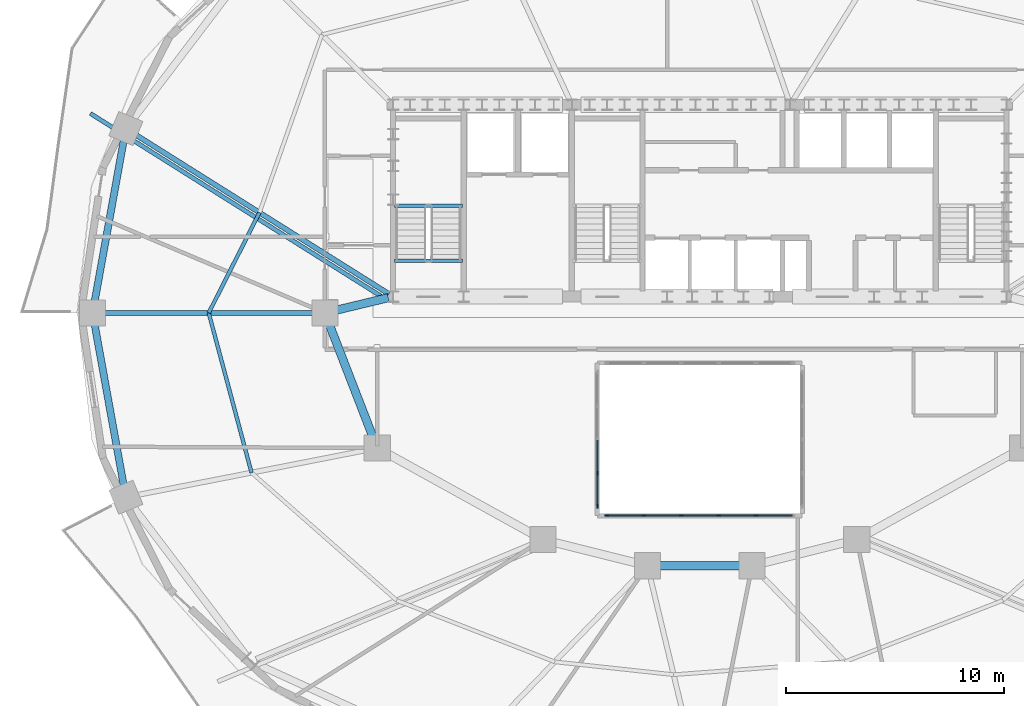
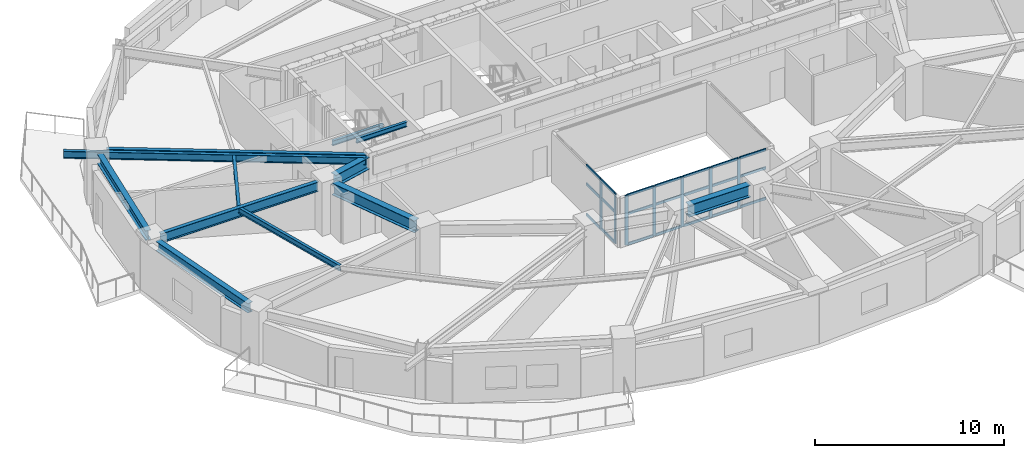
# One storey, part 2 of 12: 28 members, 12 beams, 2 elements without a shape of their own.
"""IFC4 building model written with IfcOpenShell, lengths in metres."""

import ifcopenshell
import ifcopenshell.guid

model = None  # the IFC model being written
_history = None  # IfcOwnerHistory: only IFC2X3 demands one
_inside = {}  # id of a spatial element -> (the spatial element, [elements in it])
_under = {}  # id of a project, library or spatial element -> (it, [spatial elements below it])
_declared = {}  # id of a project -> (the project, [libraries it declares])
_typed = {}  # id of a type object -> (the type object, [elements of that type])
_made_of = {}  # id of a material, layer set ... -> (it, [elements and type objects made of it])


def new_model(schema):
    """Start an empty IFC model of exactly this schema.

    Asked for "IFC4X3", IfcOpenShell would pick the latest addendum, in which some entities
    have other attributes; the version numbers below select the first issue.
    IFC2X3 requires an IfcOwnerHistory on every rooted entity: one is made here for all.
    """
    global model, _history
    if schema == "IFC4X3":
        model = ifcopenshell.file(schema_version=(4, 3, 0, 0))
    else:
        model = ifcopenshell.file(schema=schema)
    _inside.clear()
    _under.clear()
    _declared.clear()
    _typed.clear()
    _made_of.clear()
    _history = None
    if model.schema == "IFC2X3":
        org = make("IfcOrganization", Name="unknown")
        user = make(
            "IfcPersonAndOrganization",
            ThePerson=make("IfcPerson", FamilyName="unknown"),
            TheOrganization=org,
        )
        app = make(
            "IfcApplication",
            ApplicationDeveloper=org,
            Version="unknown",
            ApplicationFullName="unknown",
            ApplicationIdentifier="unknown",
        )
        _history = make(
            "IfcOwnerHistory",
            OwningUser=user,
            OwningApplication=app,
            ChangeAction="ADDED",
            CreationDate=0,
        )
    return model


def make(cls, **values):
    """One entity of the class cls with the attributes given. An attribute that is None is left unset."""
    return model.create_entity(
        cls, **{name: value for name, value in values.items() if value is not None}
    )


def rooted(cls, **values):
    """An entity with a GlobalId (a new one), such as an element, a storey or a relation."""
    return make(cls, GlobalId=ifcopenshell.guid.new(), OwnerHistory=_history, **values)


def si_unit(unit_type, name, prefix=None):
    """IfcSIUnit, for example si_unit("LENGTHUNIT", "METRE", prefix="MILLI")."""
    return make("IfcSIUnit", UnitType=unit_type, Prefix=prefix, Name=name)


def assignment(units):
    """IfcUnitAssignment: the units of a project."""
    return None if units is None else make("IfcUnitAssignment", Units=units)


def point(xyz):
    """IfcCartesianPoint."""
    return None if xyz is None else make("IfcCartesianPoint", Coordinates=xyz)


def direction(xyz):
    """IfcDirection."""
    return None if xyz is None else make("IfcDirection", DirectionRatios=xyz)


def frame(location, z_axis=None, x_axis=None):
    """IfcAxis2Placement3D, a coordinate frame: its origin and axes. An axis left out is left unset."""
    return make(
        "IfcAxis2Placement3D",
        Location=point(location),
        Axis=direction(z_axis),
        RefDirection=direction(x_axis),
    )


def frame_2d(location, x_axis=None):
    """IfcAxis2Placement2D, a coordinate frame in the plane: its origin and x axis."""
    return make(
        "IfcAxis2Placement2D", Location=point(location), RefDirection=direction(x_axis)
    )


def origin():
    """The frame at (0, 0, 0) with its axes left unset."""
    return frame((0.0, 0.0, 0.0))


def origin_2d():
    """The frame at (0, 0) in the plane with its x axis left unset."""
    return frame_2d((0.0, 0.0))


def place(relative_to, where):
    """IfcLocalPlacement: puts the frame where relative to a parent placement (None: the world)."""
    return make(
        "IfcLocalPlacement", PlacementRelTo=relative_to, RelativePlacement=where
    )


def context(
    kind, dimensions, precision=None, world=None, true_north=None, identifier=None
):
    """IfcGeometricRepresentationContext, for example the 3D "Model" context."""
    return make(
        "IfcGeometricRepresentationContext",
        ContextIdentifier=identifier,
        ContextType=kind,
        CoordinateSpaceDimension=dimensions,
        Precision=precision,
        WorldCoordinateSystem=world,
        TrueNorth=true_north,
    )


def subcontext(parent, identifier, kind, view, scale=None):
    """IfcGeometricRepresentationSubContext, for example "Body" below "Model"."""
    return make(
        "IfcGeometricRepresentationSubContext",
        ContextIdentifier=identifier,
        ContextType=kind,
        ParentContext=parent,
        TargetScale=scale,
        TargetView=view,
    )


def project(units=None, contexts=None):
    """IfcProject with its units and contexts."""
    return rooted(
        "IfcProject",
        Name="project",
        RepresentationContexts=contexts,
        UnitsInContext=assignment(units),
    )


def spatial(cls, under=None, at=None, **own):
    """A site, building, storey or space (cls), placed at a placement, below another one or the project."""
    s = rooted(cls, ObjectPlacement=at, **own)
    if under is not None:
        _under.setdefault(under.id(), (under, []))[1].append(s)
    return s


def profile(cls, at=None, kind="AREA", **sizes):
    """A parametric profile (cls). Its sizes go by their IFC names, for example OverallWidth=200.0."""
    return make(cls, ProfileType=kind, Position=at, **sizes)


def rectangle(**sizes):
    """IfcRectangleProfileDef."""
    return profile("IfcRectangleProfileDef", **sizes)


def i_section(**sizes):
    """IfcIShapeProfileDef."""
    return profile("IfcIShapeProfileDef", **sizes)


def extrude(swept, where, along, depth):
    """IfcExtrudedAreaSolid: the profile swept, set in the frame where, extruded along a direction by depth."""
    return make(
        "IfcExtrudedAreaSolid",
        SweptArea=swept,
        Position=where,
        ExtrudedDirection=direction(along),
        Depth=depth,
    )


def shape(context_of_items, identifier, shape_type, items):
    """IfcShapeRepresentation: the items that make up one representation, for example the "Body"."""
    return make(
        "IfcShapeRepresentation",
        ContextOfItems=context_of_items,
        RepresentationIdentifier=identifier,
        RepresentationType=shape_type,
        Items=items,
    )


def material(Name=None, Category=None):
    """IfcMaterial."""
    return make("IfcMaterial", Name=Name, Category=Category)


def material_profile(
    of_material, cross_section, Name=None, Category=None, Priority=None
):
    """IfcMaterialProfile: a cross section and its material."""
    return make(
        "IfcMaterialProfile",
        Name=Name,
        Material=of_material,
        Profile=cross_section,
        Priority=Priority,
        Category=Category,
    )


def profile_set(profiles, Name=None, composite=None):
    """IfcMaterialProfileSet."""
    return make(
        "IfcMaterialProfileSet",
        Name=Name,
        MaterialProfiles=profiles,
        CompositeProfile=composite,
    )


def made_of(thing, what):
    """Note that an element or type object is made of a material, layer set ...; save() writes the relation."""
    if what is not None:
        _made_of.setdefault(what.id(), (what, []))[1].append(thing)
    return thing


def type_object(cls, material=None, **own):
    """A type object (cls), such as IfcWallType, which elements share."""
    return made_of(rooted(cls, **own), material)


def element(
    cls,
    number,
    at=None,
    inside=None,
    cuts=None,
    type_object=None,
    material=None,
    context=None,
    identifier="Body",
    shape_type=None,
    held_by="IfcProductDefinitionShape",
    body=None,
    shapes=None,
    **own,
):
    """One element of the class cls, such as IfcWall. Its Tag is "e" and its number.

    at: its placement. inside: the storey or other place that contains it. cuts: it is an
    opening in that element (IfcRelVoidsElement). A single representation is given by context,
    identifier, shape_type and body (its items); several are given by shapes. held_by: the class
    of the entity that holds the representations. save() writes the other relations.
    """
    e = rooted(cls, Tag="e%d" % number, ObjectPlacement=at, **own)
    if body is not None:
        shapes = [shape(context, identifier, shape_type, body)]
    if shapes is not None:
        e.Representation = make(held_by, Representations=shapes)
    if inside is not None:
        _inside.setdefault(inside.id(), (inside, []))[1].append(e)
    if cuts is not None:
        rooted(
            "IfcRelVoidsElement", RelatingBuildingElement=cuts, RelatedOpeningElement=e
        )
    if type_object is not None:
        _typed.setdefault(type_object.id(), (type_object, []))[1].append(e)
    return made_of(e, material)


def aggregate(whole, parts):
    """IfcRelAggregates: a whole, such as a stair, and the parts it consists of."""
    return rooted("IfcRelAggregates", RelatingObject=whole, RelatedObjects=parts)


def save(model, path):
    """Write the relations noted so far, then the file.

    IfcRelAggregates (storeys below a building ...), IfcRelContainedInSpatialStructure (elements
    in a storey), IfcRelDefinesByType, IfcRelAssociatesMaterial and IfcRelDeclares: one each for
    every whole, place, type object, material and project.
    """
    for whole, parts in _under.values():
        aggregate(whole, parts)
    for where, things in _inside.values():
        rooted(
            "IfcRelContainedInSpatialStructure",
            RelatedElements=things,
            RelatingStructure=where,
        )
    for kind, things in _typed.values():
        rooted("IfcRelDefinesByType", RelatedObjects=things, RelatingType=kind)
    for what, things in _made_of.values():
        rooted("IfcRelAssociatesMaterial", RelatedObjects=things, RelatingMaterial=what)
    for by, libraries in _declared.values():
        rooted("IfcRelDeclares", RelatingContext=by, RelatedDefinitions=libraries)
    model.write(path)


model = new_model("IFC4")

# Units and contexts
model_context = context("Model", 3, precision=1e-05, world=origin(), true_north=direction((0.0, 1.0)))
body_context = subcontext(model_context, "Body", "Model", "MODEL_VIEW")
ifc_project = project(units=[si_unit("LENGTHUNIT", "METRE"), si_unit("AREAUNIT", "SQUARE_METRE"), si_unit("VOLUMEUNIT", "CUBIC_METRE"), si_unit("PLANEANGLEUNIT", "RADIAN"), si_unit("MASSUNIT", "GRAM", prefix="KILO")], contexts=[model_context])

# Site, building, storey
site_placement = place(None, origin())
site = spatial("IfcSite", under=ifc_project, at=site_placement, CompositionType="ELEMENT")
building_placement = place(site_placement, origin())
building = spatial("IfcBuilding", under=site, at=building_placement, Name="Haldorwick Loom Tower", CompositionType="ELEMENT")
storey_placement = place(building_placement, frame((0.0, 0.0, 113.89990234375)))
storey = spatial("IfcBuildingStorey", under=building, at=storey_placement, Name="L30", CompositionType="ELEMENT", Elevation=113.89990234375)

# Curtain wall, members
ifc_material_1 = material(Name="Thermally Broken Anodized Aluminium Curtain Wall Framing", Category="aluminium")
curtain_wall_type = type_object("IfcCurtainWallType", Name="ARC-CW-03", PredefinedType="NOTDEFINED", material=ifc_material_1)
curtain_wall_1_placement = place(storey_placement, origin())
curtain_wall_1 = element("IfcCurtainWall", 1, at=curtain_wall_1_placement, inside=storey, type_object=curtain_wall_type, Name="L30 Atrium Glazed Screen S", PredefinedType="NOTDEFINED")
ifc_material_profile_1 = material_profile(ifc_material_1, rectangle(XDim=0.06591796875, YDim=0.18505859375, at=origin_2d()), Name="ALU_MUL_66X185", Category="aluminium")
ifc_profile_set_1 = profile_set([ifc_material_profile_1], Name="Thermally Broken Anodized Aluminium Curtain Wall Framing")
member_type_1 = type_object("IfcMemberType", Name="ARC-CWM-03", PredefinedType="MULLION", material=ifc_profile_set_1)
member_1_placement = place(storey_placement, frame((38.580078125, 16.699951171875, 0.0), z_axis=(0.0, 0.0, 1.0), x_axis=(0.0, -1.0, 0.0)))
member_1 = element("IfcMember", 2, at=member_1_placement, type_object=member_type_1, Name="CW-03 mullion 2", PredefinedType="MULLION", context=body_context, shape_type="SweptSolid", body=[
    extrude(rectangle(XDim=0.06591796875, YDim=0.18505859375, at=origin_2d()), origin(), (0.0, 0.0, 1.0), 3.210205078125),
])
member_2_placement = place(storey_placement, frame((36.860107421875, 16.699951171875, 0.0), z_axis=(0.0, 0.0, 1.0), x_axis=(0.0, -1.0, 0.0)))
member_2 = element("IfcMember", 3, at=member_2_placement, type_object=member_type_1, Name="CW-03 mullion 3", PredefinedType="MULLION", context=body_context, shape_type="SweptSolid", body=[
    extrude(rectangle(XDim=0.06591796875, YDim=0.18505859375, at=origin_2d()), origin(), (0.0, 0.0, 1.0), 3.210205078125),
])
member_3_placement = place(storey_placement, frame((35.139892578125, 16.699951171875, 0.0), z_axis=(0.0, 0.0, 1.0), x_axis=(0.0, -1.0, 0.0)))
member_3 = element("IfcMember", 4, at=member_3_placement, type_object=member_type_1, Name="CW-03 mullion 4", PredefinedType="MULLION", context=body_context, shape_type="SweptSolid", body=[
    extrude(rectangle(XDim=0.06591796875, YDim=0.18505859375, at=origin_2d()), origin(), (0.0, 0.0, 1.0), 3.210205078125),
])
member_4_placement = place(storey_placement, frame((33.419921875, 16.699951171875, 0.0), z_axis=(0.0, 0.0, 1.0), x_axis=(0.0, -1.0, 0.0)))
member_4 = element("IfcMember", 5, at=member_4_placement, type_object=member_type_1, Name="CW-03 mullion 5", PredefinedType="MULLION", context=body_context, shape_type="SweptSolid", body=[
    extrude(rectangle(XDim=0.06591796875, YDim=0.18505859375, at=origin_2d()), origin(), (0.0, 0.0, 1.0), 3.210205078125),
])
member_5_placement = place(storey_placement, frame((31.73291015625, 16.699951171875, 0.0), z_axis=(0.0, 0.0, 1.0), x_axis=(0.0, -1.0, 0.0)))
member_5 = element("IfcMember", 6, at=member_5_placement, type_object=member_type_1, Name="CW-03 mullion 6", PredefinedType="MULLION", context=body_context, shape_type="SweptSolid", body=[
    extrude(rectangle(XDim=0.06591796875, YDim=0.18505859375, at=origin_2d()), origin(), (0.0, 0.0, 1.0), 3.210205078125),
])

curtain_wall_2_placement = place(storey_placement, origin())
curtain_wall_2 = element("IfcCurtainWall", 7, at=curtain_wall_2_placement, inside=storey, type_object=curtain_wall_type, Name="L30 Atrium Glazed Screen W", PredefinedType="NOTDEFINED")
member_6_placement = place(storey_placement, frame((31.300048828125, 17.133056640625, 0.0), z_axis=(0.0, 0.0, 1.0), x_axis=(-1.0, 0.0, 0.0)))
member_6 = element("IfcMember", 8, at=member_6_placement, type_object=member_type_1, Name="CW-03 mullion 1", PredefinedType="MULLION", context=body_context, shape_type="SweptSolid", body=[
    extrude(rectangle(XDim=0.06591796875, YDim=0.18505859375, at=origin_2d()), origin(), (0.0, 0.0, 1.0), 3.210205078125),
])
member_7_placement = place(storey_placement, frame((31.300048828125, 18.64990234375, 0.0), z_axis=(0.0, 0.0, 1.0), x_axis=(-1.0, 0.0, 0.0)))
member_7 = element("IfcMember", 9, at=member_7_placement, type_object=member_type_1, Name="CW-03 mullion 2", PredefinedType="MULLION", context=body_context, shape_type="SweptSolid", body=[
    extrude(rectangle(XDim=0.06591796875, YDim=0.18505859375, at=origin_2d()), origin(), (0.0, 0.0, 1.0), 3.210205078125),
])

# Member
ifc_material_profile_2 = material_profile(ifc_material_1, rectangle(XDim=0.06591796875, YDim=0.1650390625, at=origin_2d()), Name="ALU_TRN_66X165", Category="aluminium")
ifc_profile_set_2 = profile_set([ifc_material_profile_2], Name="Thermally Broken Anodized Aluminium Curtain Wall Framing")
member_type_2 = type_object("IfcMemberType", Name="ARC-CWT-03", PredefinedType="USERDEFINED", material=ifc_profile_set_2)
member_8_placement = place(storey_placement, frame((40.23388671875, 16.699951171875, 0.033203125), z_axis=(-1.0, 0.0, 0.0), x_axis=(0.0, -1.0, 0.0)))
member_8 = element("IfcMember", 10, at=member_8_placement, type_object=member_type_2, Name="CW-03 transom 1.1", ObjectType="TRANSOM", PredefinedType="USERDEFINED", context=body_context, shape_type="SweptSolid", body=[
    extrude(rectangle(XDim=0.06591796875, YDim=0.1650390625, at=origin_2d()), origin(), (0.0, 0.0, 1.0), 1.620849609375),
])

member_9_placement = place(storey_placement, frame((40.23388671875, 16.699951171875, 2.0), z_axis=(-1.0, 0.0, 0.0), x_axis=(0.0, -1.0, 0.0)))
member_9 = element("IfcMember", 11, at=member_9_placement, type_object=member_type_2, Name="CW-03 transom 1.2", ObjectType="TRANSOM", PredefinedType="USERDEFINED", context=body_context, shape_type="SweptSolid", body=[
    extrude(rectangle(XDim=0.06591796875, YDim=0.1650390625, at=origin_2d()), origin(), (0.0, 0.0, 1.0), 1.620849609375),
])

member_10_placement = place(storey_placement, frame((40.23388671875, 16.699951171875, 3.177001953125), z_axis=(-1.0, 0.0, 0.0), x_axis=(0.0, -1.0, 0.0)))
member_10 = element("IfcMember", 12, at=member_10_placement, type_object=member_type_2, Name="CW-03 transom 1.3", ObjectType="TRANSOM", PredefinedType="USERDEFINED", context=body_context, shape_type="SweptSolid", body=[
    extrude(rectangle(XDim=0.06591796875, YDim=0.1650390625, at=origin_2d()), origin(), (0.0, 0.0, 1.0), 1.620849609375),
])

member_11_placement = place(storey_placement, frame((38.547119140625, 16.699951171875, 0.033203125), z_axis=(-1.0, 0.0, 0.0), x_axis=(0.0, -1.0, 0.0)))
member_11 = element("IfcMember", 13, at=member_11_placement, type_object=member_type_2, Name="CW-03 transom 2.1", ObjectType="TRANSOM", PredefinedType="USERDEFINED", context=body_context, shape_type="SweptSolid", body=[
    extrude(rectangle(XDim=0.06591796875, YDim=0.1650390625, at=origin_2d()), origin(), (0.0, 0.0, 1.0), 1.654052734375),
])

member_12_placement = place(storey_placement, frame((38.547119140625, 16.699951171875, 2.0), z_axis=(-1.0, 0.0, 0.0), x_axis=(0.0, -1.0, 0.0)))
member_12 = element("IfcMember", 14, at=member_12_placement, type_object=member_type_2, Name="CW-03 transom 2.2", ObjectType="TRANSOM", PredefinedType="USERDEFINED", context=body_context, shape_type="SweptSolid", body=[
    extrude(rectangle(XDim=0.06591796875, YDim=0.1650390625, at=origin_2d()), origin(), (0.0, 0.0, 1.0), 1.654052734375),
])

member_13_placement = place(storey_placement, frame((38.547119140625, 16.699951171875, 3.177001953125), z_axis=(-1.0, 0.0, 0.0), x_axis=(0.0, -1.0, 0.0)))
member_13 = element("IfcMember", 15, at=member_13_placement, type_object=member_type_2, Name="CW-03 transom 2.3", ObjectType="TRANSOM", PredefinedType="USERDEFINED", context=body_context, shape_type="SweptSolid", body=[
    extrude(rectangle(XDim=0.06591796875, YDim=0.1650390625, at=origin_2d()), origin(), (0.0, 0.0, 1.0), 1.654052734375),
])

member_14_placement = place(storey_placement, frame((36.826904296875, 16.699951171875, 0.033203125), z_axis=(-1.0, 0.0, 0.0), x_axis=(0.0, -1.0, 0.0)))
member_14 = element("IfcMember", 16, at=member_14_placement, type_object=member_type_2, Name="CW-03 transom 3.1", ObjectType="TRANSOM", PredefinedType="USERDEFINED", context=body_context, shape_type="SweptSolid", body=[
    extrude(rectangle(XDim=0.06591796875, YDim=0.1650390625, at=origin_2d()), origin(), (0.0, 0.0, 1.0), 1.65380859375),
])

member_15_placement = place(storey_placement, frame((36.826904296875, 16.699951171875, 2.0), z_axis=(-1.0, 0.0, 0.0), x_axis=(0.0, -1.0, 0.0)))
member_15 = element("IfcMember", 17, at=member_15_placement, type_object=member_type_2, Name="CW-03 transom 3.2", ObjectType="TRANSOM", PredefinedType="USERDEFINED", context=body_context, shape_type="SweptSolid", body=[
    extrude(rectangle(XDim=0.06591796875, YDim=0.1650390625, at=origin_2d()), origin(), (0.0, 0.0, 1.0), 1.65380859375),
])

member_16_placement = place(storey_placement, frame((36.826904296875, 16.699951171875, 3.177001953125), z_axis=(-1.0, 0.0, 0.0), x_axis=(0.0, -1.0, 0.0)))
member_16 = element("IfcMember", 18, at=member_16_placement, type_object=member_type_2, Name="CW-03 transom 3.3", ObjectType="TRANSOM", PredefinedType="USERDEFINED", context=body_context, shape_type="SweptSolid", body=[
    extrude(rectangle(XDim=0.06591796875, YDim=0.1650390625, at=origin_2d()), origin(), (0.0, 0.0, 1.0), 1.65380859375),
])

member_17_placement = place(storey_placement, frame((35.10693359375, 16.699951171875, 0.033203125), z_axis=(-1.0, 0.0, 0.0), x_axis=(0.0, -1.0, 0.0)))
member_17 = element("IfcMember", 19, at=member_17_placement, type_object=member_type_2, Name="CW-03 transom 4.1", ObjectType="TRANSOM", PredefinedType="USERDEFINED", context=body_context, shape_type="SweptSolid", body=[
    extrude(rectangle(XDim=0.06591796875, YDim=0.1650390625, at=origin_2d()), origin(), (0.0, 0.0, 1.0), 1.654052734375),
])

member_18_placement = place(storey_placement, frame((35.10693359375, 16.699951171875, 2.0), z_axis=(-1.0, 0.0, 0.0), x_axis=(0.0, -1.0, 0.0)))
member_18 = element("IfcMember", 20, at=member_18_placement, type_object=member_type_2, Name="CW-03 transom 4.2", ObjectType="TRANSOM", PredefinedType="USERDEFINED", context=body_context, shape_type="SweptSolid", body=[
    extrude(rectangle(XDim=0.06591796875, YDim=0.1650390625, at=origin_2d()), origin(), (0.0, 0.0, 1.0), 1.654052734375),
])

member_19_placement = place(storey_placement, frame((35.10693359375, 16.699951171875, 3.177001953125), z_axis=(-1.0, 0.0, 0.0), x_axis=(0.0, -1.0, 0.0)))
member_19 = element("IfcMember", 21, at=member_19_placement, type_object=member_type_2, Name="CW-03 transom 4.3", ObjectType="TRANSOM", PredefinedType="USERDEFINED", context=body_context, shape_type="SweptSolid", body=[
    extrude(rectangle(XDim=0.06591796875, YDim=0.1650390625, at=origin_2d()), origin(), (0.0, 0.0, 1.0), 1.654052734375),
])

member_20_placement = place(storey_placement, frame((33.386962890625, 16.699951171875, 0.033203125), z_axis=(-1.0, 0.0, 0.0), x_axis=(0.0, -1.0, 0.0)))
member_20 = element("IfcMember", 22, at=member_20_placement, type_object=member_type_2, Name="CW-03 transom 5.1", ObjectType="TRANSOM", PredefinedType="USERDEFINED", context=body_context, shape_type="SweptSolid", body=[
    extrude(rectangle(XDim=0.06591796875, YDim=0.1650390625, at=origin_2d()), origin(), (0.0, 0.0, 1.0), 1.620849609375),
])

member_21_placement = place(storey_placement, frame((33.386962890625, 16.699951171875, 2.0), z_axis=(-1.0, 0.0, 0.0), x_axis=(0.0, -1.0, 0.0)))
member_21 = element("IfcMember", 23, at=member_21_placement, type_object=member_type_2, Name="CW-03 transom 5.2", ObjectType="TRANSOM", PredefinedType="USERDEFINED", context=body_context, shape_type="SweptSolid", body=[
    extrude(rectangle(XDim=0.06591796875, YDim=0.1650390625, at=origin_2d()), origin(), (0.0, 0.0, 1.0), 1.620849609375),
])

member_22_placement = place(storey_placement, frame((33.386962890625, 16.699951171875, 3.177001953125), z_axis=(-1.0, 0.0, 0.0), x_axis=(0.0, -1.0, 0.0)))
member_22 = element("IfcMember", 24, at=member_22_placement, type_object=member_type_2, Name="CW-03 transom 5.3", ObjectType="TRANSOM", PredefinedType="USERDEFINED", context=body_context, shape_type="SweptSolid", body=[
    extrude(rectangle(XDim=0.06591796875, YDim=0.1650390625, at=origin_2d()), origin(), (0.0, 0.0, 1.0), 1.620849609375),
])

aggregate(curtain_wall_1, [member_1, member_2, member_3, member_4, member_5, member_8, member_9, member_10, member_11, member_12, member_13, member_14, member_15, member_16, member_17, member_18, member_19, member_20, member_21, member_22])

member_23_placement = place(storey_placement, frame((31.300048828125, 17.166015625, 0.033203125), z_axis=(0.0, 1.0, 0.0), x_axis=(-1.0, 0.0, 0.0)))
member_23 = element("IfcMember", 25, at=member_23_placement, type_object=member_type_2, Name="CW-03 transom 1.1", ObjectType="TRANSOM", PredefinedType="USERDEFINED", context=body_context, shape_type="SweptSolid", body=[
    extrude(rectangle(XDim=0.06591796875, YDim=0.1650390625, at=origin_2d()), origin(), (0.0, 0.0, 1.0), 1.450927734375),
])

member_24_placement = place(storey_placement, frame((31.300048828125, 17.166015625, 2.0), z_axis=(0.0, 1.0, 0.0), x_axis=(-1.0, 0.0, 0.0)))
member_24 = element("IfcMember", 26, at=member_24_placement, type_object=member_type_2, Name="CW-03 transom 1.2", ObjectType="TRANSOM", PredefinedType="USERDEFINED", context=body_context, shape_type="SweptSolid", body=[
    extrude(rectangle(XDim=0.06591796875, YDim=0.1650390625, at=origin_2d()), origin(), (0.0, 0.0, 1.0), 1.450927734375),
])

member_25_placement = place(storey_placement, frame((31.300048828125, 17.166015625, 3.177001953125), z_axis=(0.0, 1.0, 0.0), x_axis=(-1.0, 0.0, 0.0)))
member_25 = element("IfcMember", 27, at=member_25_placement, type_object=member_type_2, Name="CW-03 transom 1.3", ObjectType="TRANSOM", PredefinedType="USERDEFINED", context=body_context, shape_type="SweptSolid", body=[
    extrude(rectangle(XDim=0.06591796875, YDim=0.1650390625, at=origin_2d()), origin(), (0.0, 0.0, 1.0), 1.450927734375),
])

member_26_placement = place(storey_placement, frame((31.300048828125, 18.68310546875, 0.033203125), z_axis=(0.0, 1.0, 0.0), x_axis=(-1.0, 0.0, 0.0)))
member_26 = element("IfcMember", 28, at=member_26_placement, type_object=member_type_2, Name="CW-03 transom 2.1", ObjectType="TRANSOM", PredefinedType="USERDEFINED", context=body_context, shape_type="SweptSolid", body=[
    extrude(rectangle(XDim=0.06591796875, YDim=0.1650390625, at=origin_2d()), origin(), (0.0, 0.0, 1.0), 1.48388671875),
])

member_27_placement = place(storey_placement, frame((31.300048828125, 18.68310546875, 2.0), z_axis=(0.0, 1.0, 0.0), x_axis=(-1.0, 0.0, 0.0)))
member_27 = element("IfcMember", 29, at=member_27_placement, type_object=member_type_2, Name="CW-03 transom 2.2", ObjectType="TRANSOM", PredefinedType="USERDEFINED", context=body_context, shape_type="SweptSolid", body=[
    extrude(rectangle(XDim=0.06591796875, YDim=0.1650390625, at=origin_2d()), origin(), (0.0, 0.0, 1.0), 1.48388671875),
])

member_28_placement = place(storey_placement, frame((31.300048828125, 18.68310546875, 3.177001953125), z_axis=(0.0, 1.0, 0.0), x_axis=(-1.0, 0.0, 0.0)))
member_28 = element("IfcMember", 30, at=member_28_placement, type_object=member_type_2, Name="CW-03 transom 2.3", ObjectType="TRANSOM", PredefinedType="USERDEFINED", context=body_context, shape_type="SweptSolid", body=[
    extrude(rectangle(XDim=0.06591796875, YDim=0.1650390625, at=origin_2d()), origin(), (0.0, 0.0, 1.0), 1.48388671875),
])

aggregate(curtain_wall_2, [member_6, member_7, member_23, member_24, member_25, member_26, member_27, member_28])

# Beams
ifc_material_2 = material(Name="Steel CSA G40.21 350W", Category="steel")
ifc_material_profile_3 = material_profile(ifc_material_2, i_section(OverallWidth=0.193115234375, OverallDepth=0.466064453125, WebThickness=0.011474609375, FlangeThickness=0.01904296875, at=origin_2d()), Name="W460X97", Category="steel")
ifc_profile_set_3 = profile_set([ifc_material_profile_3], Name="Steel CSA G40.21 350W")
beam_type_1 = type_object("IfcBeamType", Name="STR-BM-BAL460", PredefinedType="BEAM", material=ifc_profile_set_3)
beam_1_placement = place(storey_placement, frame((21.590576171875, 26.6328125, 2.97705078125), z_axis=(-0.846621037802, 0.532196221662, 0.0), x_axis=(-0.532196221662, -0.846621037802, 0.0)))
element("IfcBeam", 31, at=beam_1_placement, inside=storey, type_object=beam_type_1, Name="L30 Continuous Back-Spanned Balcony Beam 3", PredefinedType="BEAM", context=body_context, shape_type="SweptSolid", body=[
    extrude(i_section(OverallWidth=0.193115234375, OverallDepth=0.466064453125, WebThickness=0.011474609375, FlangeThickness=0.01904296875, at=origin_2d()), origin(), (0.0, 0.0, 1.0), 16.0068359375),
])
ifc_material_profile_4 = material_profile(ifc_material_2, i_section(OverallWidth=0.172119140625, OverallDepth=0.35791015625, WebThickness=0.0078125, FlangeThickness=0.01318359375, at=origin_2d()), Name="W360X57", Category="steel")
ifc_profile_set_4 = profile_set([ifc_material_profile_4], Name="Steel CSA G40.21 350W")
beam_type_2 = type_object("IfcBeamType", Name="STR-BM-J360", PredefinedType="JOIST", material=ifc_profile_set_4)
beam_2_placement = place(storey_placement, frame((15.7998046875, 30.603515625, 3.031005859375), z_axis=(-0.451373231558, -0.892335254169, 0.0), x_axis=(0.892335254169, -0.451373231558, 0.0)))
element("IfcBeam", 32, at=beam_2_placement, inside=storey, type_object=beam_type_2, Name="L30 Mid-Bay Secondary Joist 8", PredefinedType="JOIST", context=body_context, shape_type="SweptSolid", body=[
    extrude(i_section(OverallWidth=0.172119140625, OverallDepth=0.35791015625, WebThickness=0.0078125, FlangeThickness=0.01318359375, at=origin_2d()), origin(), (0.0, 0.0, 1.0), 5.158935546875),
])
beam_3_placement = place(storey_placement, frame((13.47119140625, 26.0, 3.031005859375), z_axis=(0.258810072536, -0.965928230436, 0.0), x_axis=(0.965928230436, 0.258810072536, 0.0)))
element("IfcBeam", 33, at=beam_3_placement, inside=storey, type_object=beam_type_2, Name="L30 Mid-Bay Secondary Joist 9", PredefinedType="JOIST", context=body_context, shape_type="SweptSolid", body=[
    extrude(i_section(OverallWidth=0.172119140625, OverallDepth=0.35791015625, WebThickness=0.0078125, FlangeThickness=0.01318359375, at=origin_2d()), origin(), (0.0, 0.0, 1.0), 7.587158203125),
])
ifc_material_profile_5 = material_profile(ifc_material_2, i_section(OverallWidth=0.324951171875, OverallDepth=0.615966796875, WebThickness=0.013916015625, FlangeThickness=0.021484375, at=origin_2d()), Name="W610X174", Category="steel")
ifc_profile_set_5 = profile_set([ifc_material_profile_5], Name="Steel CSA G40.21 350W")
beam_type_3 = type_object("IfcBeamType", Name="STR-BM-SP610", PredefinedType="SPANDREL", material=ifc_profile_set_5)
for number, where, z_axis, x_axis, name in (
    (34, (9.576904296875, 33.945556640625, 2.902099609375), (-0.177659490888, -0.984092020747, 0.0), (0.984092020747, -0.177659490888, 0.0), "L30 Perimeter Spandrel 8"),
    (35, (8.23486328125, 25.48828125, 2.902099609375), (0.177659490888, -0.984092020747, 0.0), (0.984092020747, 0.177659490888, 0.0), "L30 Perimeter Spandrel 9"),
):
    element("IfcBeam", number, at=place(storey_placement, frame(where, z_axis=z_axis, x_axis=x_axis)), inside=storey, type_object=beam_type_3, Name=name, PredefinedType="SPANDREL", context=body_context, shape_type="SweptSolid", body=[
        extrude(i_section(OverallWidth=0.324951171875, OverallDepth=0.615966796875, WebThickness=0.013916015625, FlangeThickness=0.021484375, at=origin_2d()), origin(), (0.0, 0.0, 1.0), 7.553955078125),
    ])
ifc_material_profile_6 = material_profile(ifc_material_2, i_section(OverallWidth=0.166015625, OverallDepth=0.31298828125, WebThickness=0.006591796875, FlangeThickness=0.01123046875, at=origin_2d()), Name="W310X45", Category="steel")
ifc_profile_set_6 = profile_set([ifc_material_profile_6], Name="Steel CSA G40.21 350W")
beam_type_4 = type_object("IfcBeamType", Name="STR-BM-STRM", PredefinedType="BEAM", material=ifc_profile_set_6)
for number, where, z_axis, x_axis, name in (
    (36, (21.989990234375, 28.39990234375, 3.0537109375), (1.0, 0.0, 0.0), (0.0, 1.0, 0.0), "L30 Stair ST-01 Landing Edge Trimmer"),
    (37, (21.989990234375, 30.919921875, 1.36865234375), (1.0, 0.0, 0.0), (0.0, 1.0, 0.0), "L30 Stair ST-01 Half-Landing Trimmer 1"),
):
    element("IfcBeam", number, at=place(storey_placement, frame(where, z_axis=z_axis, x_axis=x_axis)), inside=storey, type_object=beam_type_4, Name=name, PredefinedType="BEAM", context=body_context, shape_type="SweptSolid", body=[
        extrude(i_section(OverallWidth=0.166015625, OverallDepth=0.31298828125, WebThickness=0.006591796875, FlangeThickness=0.01123046875, at=origin_2d()), origin(), (0.0, 0.0, 1.0), 3.1201171875),
    ])
ifc_material_profile_7 = material_profile(ifc_material_2, i_section(OverallWidth=0.22998046875, OverallDepth=0.616943359375, WebThickness=0.01318359375, FlangeThickness=0.022216796875, at=origin_2d()), Name="W610X140", Category="steel")
ifc_profile_set_7 = profile_set([ifc_material_profile_7], Name="Steel CSA G40.21 350W")
beam_type_5 = type_object("IfcBeamType", Name="STR-BM-W610B", PredefinedType="BEAM", material=ifc_profile_set_7)
beam_4_placement = place(storey_placement, frame((21.739501953125, 26.86962890625, 2.901611328125), z_axis=(-0.846609551433, 0.532214493811, 0.0), x_axis=(-0.532214493811, -0.846609551433, 0.0)))
element("IfcBeam", 38, at=beam_4_placement, inside=storey, type_object=beam_type_5, Name="L30 Radial Floor Girder 8", PredefinedType="BEAM", context=body_context, shape_type="SweptSolid", body=[
    extrude(i_section(OverallWidth=0.22998046875, OverallDepth=0.616943359375, WebThickness=0.01318359375, FlangeThickness=0.022216796875, at=origin_2d()), origin(), (0.0, 0.0, 1.0), 13.737060546875),
])
beam_5_placement = place(storey_placement, frame((18.280029296875, 26.0, 2.901611328125), z_axis=(-1.0, 0.0, 0.0), x_axis=(0.0, -1.0, 0.0)))
element("IfcBeam", 39, at=beam_5_placement, inside=storey, type_object=beam_type_5, Name="L30 Radial Floor Girder 9", PredefinedType="BEAM", context=body_context, shape_type="SweptSolid", body=[
    extrude(i_section(OverallWidth=0.22998046875, OverallDepth=0.616943359375, WebThickness=0.01318359375, FlangeThickness=0.022216796875, at=origin_2d()), origin(), (0.0, 0.0, 1.0), 9.61767578125),
])
ifc_material_profile_8 = material_profile(ifc_material_2, i_section(OverallWidth=0.381103515625, OverallDepth=0.77294921875, WebThickness=0.0166015625, FlangeThickness=0.027587890625, at=origin_2d()), Name="W760X257", Category="steel")
ifc_profile_set_8 = profile_set([ifc_material_profile_8], Name="Steel CSA G40.21 350W")
beam_type_6 = type_object("IfcBeamType", Name="STR-BM-W760", PredefinedType="BEAM", material=ifc_profile_set_8)
beam_6_placement = place(storey_placement, frame((37.8798828125, 14.39990234375, 2.823486328125), z_axis=(-1.0, 0.0, 0.0), x_axis=(0.0, -1.0, 0.0)))
element("IfcBeam", 40, at=beam_6_placement, inside=storey, type_object=beam_type_6, Name="L30 Inner Ring Girder 5", PredefinedType="BEAM", context=body_context, shape_type="SweptSolid", body=[
    extrude(i_section(OverallWidth=0.381103515625, OverallDepth=0.77294921875, WebThickness=0.0166015625, FlangeThickness=0.027587890625, at=origin_2d()), origin(), (0.0, 0.0, 1.0), 3.759765625),
])
beam_7_placement = place(storey_placement, frame((21.01220703125, 20.284912109375, 2.823486328125), z_axis=(-0.360964792353, 0.93257944363, 0.0), x_axis=(-0.93257944363, -0.360964792353, 0.0)))
element("IfcBeam", 41, at=beam_7_placement, inside=storey, type_object=beam_type_6, Name="L30 Inner Ring Girder 8", PredefinedType="BEAM", context=body_context, shape_type="SweptSolid", body=[
    extrude(i_section(OverallWidth=0.381103515625, OverallDepth=0.77294921875, WebThickness=0.0166015625, FlangeThickness=0.027587890625, at=origin_2d()), origin(), (0.0, 0.0, 1.0), 5.6083984375),
])
beam_8_placement = place(storey_placement, frame((19.3056640625, 26.12109375, 2.823486328125), z_axis=(0.97247055837, 0.233025777764, 0.0), x_axis=(-0.233025777764, 0.97247055837, 0.0)))
element("IfcBeam", 42, at=beam_8_placement, inside=storey, type_object=beam_type_6, Name="L30 Inner Ring Girder 9", PredefinedType="BEAM", context=body_context, shape_type="SweptSolid", body=[
    extrude(i_section(OverallWidth=0.381103515625, OverallDepth=0.77294921875, WebThickness=0.0166015625, FlangeThickness=0.027587890625, at=origin_2d()), origin(), (0.0, 0.0, 1.0), 2.4736328125),
])

save(model, "model.ifc")
